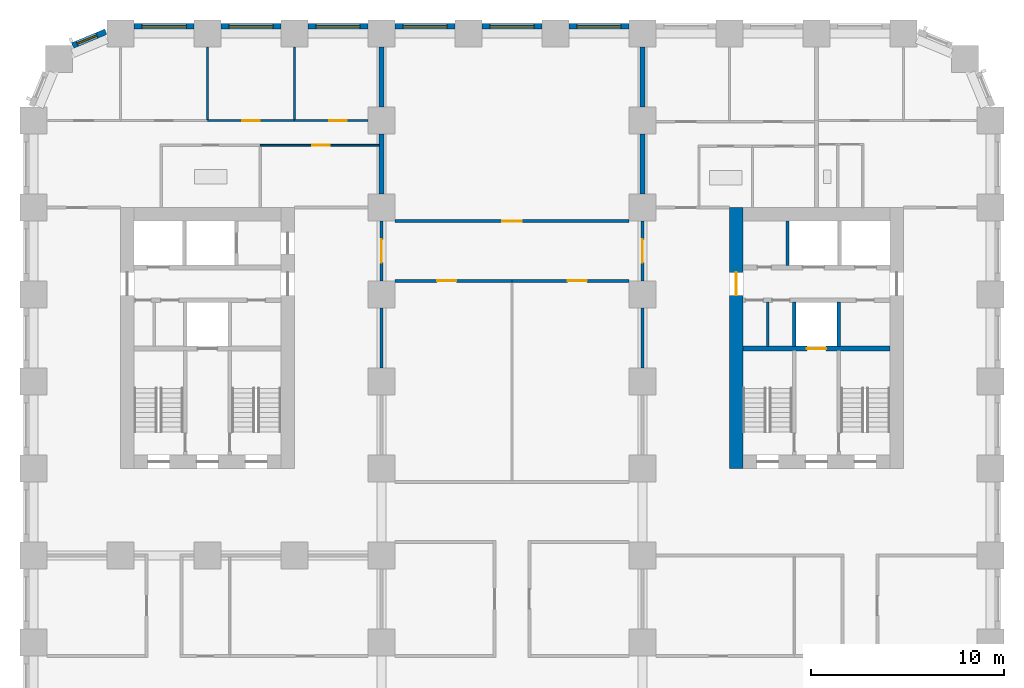
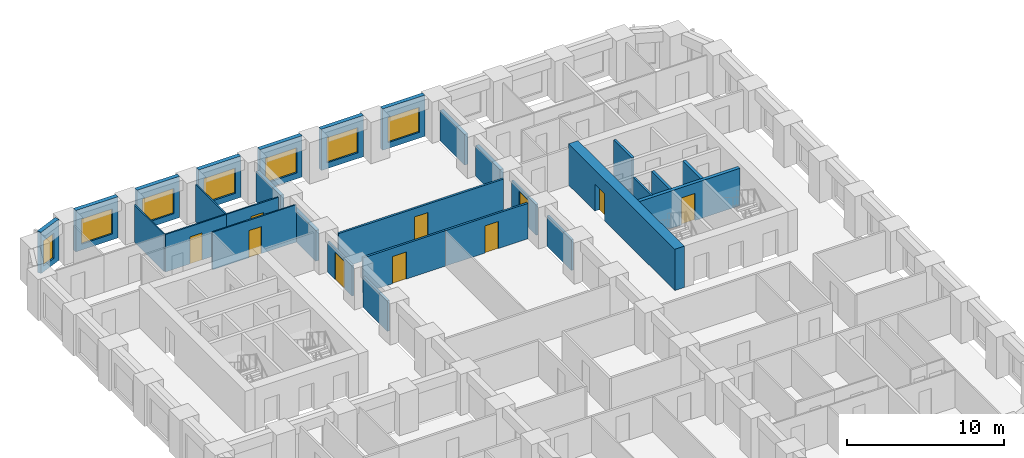
# One storey, part 7 of 12: 29 walls, 10 doors, 7 windows, 17 openings.
"""IFC4 building model written with IfcOpenShell, lengths in metres."""

from ifc_helpers import new_model, si_unit, direction, frame, frame_2d, origin, place, context, subcontext, project, spatial, rectangle, extrude, material, layer, layer_set, type_object, element, fill, save


model = new_model("IFC4")

# Units and contexts
model_context = context("Model", 3, precision=1e-05, world=origin(), true_north=direction((0.0, 1.0)))
body_context = subcontext(model_context, "Body", "Model", "MODEL_VIEW")
ifc_project = project(units=[si_unit("LENGTHUNIT", "METRE"), si_unit("AREAUNIT", "SQUARE_METRE"), si_unit("VOLUMEUNIT", "CUBIC_METRE"), si_unit("PLANEANGLEUNIT", "RADIAN"), si_unit("MASSUNIT", "GRAM", prefix="KILO")], contexts=[model_context])

# Site, building, storey
site_placement = place(None, origin())
site = spatial("IfcSite", under=ifc_project, at=site_placement, CompositionType="ELEMENT")
building_placement = place(site_placement, origin())
building = spatial("IfcBuilding", under=site, at=building_placement, Name="Girih Gate Residences", CompositionType="ELEMENT")
storey_placement = place(building_placement, frame((0.0, 0.0, 33.60009765625)))
storey = spatial("IfcBuildingStorey", under=building, at=storey_placement, Name="L07", CompositionType="ELEMENT", Elevation=33.60009765625)

# Walls
ifc_material_1 = material(Name="Gypsum board on steel studs", Category="steel")
ifc_layer_1 = layer(ifc_material_1, 0.25)
ifc_layer_set_1 = layer_set([ifc_layer_1], Name="Acoustic separating wall 250 mm")
wall_type_1 = type_object("IfcWallType", Name="Acoustic separating wall 250 mm", PredefinedType="PARTITIONING", material=ifc_layer_set_1)
for number, where, z_axis, x_axis, name in (
    (1, (18.0, 45.699951171875, 0.0), (0.0, 0.0, 1.0), (0.0, 1.0, 0.0), "L07 partition"),
    (2, (18.0, 41.199951171875, 0.0), (0.0, 0.0, 1.0), (0.0, 1.0, 0.0), "L07 partition"),
    (3, (31.5, 41.199951171875, 0.0), (0.0, 0.0, 1.0), (0.0, 1.0, 0.0), "L07 partition"),
    (4, (31.5, 45.699951171875, 0.0), (0.0, 0.0, 1.0), (0.0, 1.0, 0.0), "L07 partition"),
):
    element("IfcWall", number, at=place(storey_placement, frame(where, z_axis=z_axis, x_axis=x_axis)), inside=storey, type_object=wall_type_1, Name=name, PredefinedType="PARTITIONING", context=body_context, shape_type="SweptSolid", body=[
        extrude(rectangle(XDim=3.10009765625, YDim=0.25, at=frame_2d((1.550048828125, 0.0))), origin(), (0.0, 0.0, 1.0), 2.3798828125),
    ])

# Wall, opening, door
ifc_layer_2 = layer(ifc_material_1, 0.14990234375)
ifc_layer_set_2 = layer_set([ifc_layer_2], Name="Compartment wall 150 mm")
wall_type_2 = type_object("IfcWallType", Name="Compartment wall 150 mm", PredefinedType="PARTITIONING", material=ifc_layer_set_2)
wall_1_placement = place(storey_placement, frame((18.699951171875, 39.800048828125, 0.0), z_axis=(0.0, 0.0, 1.0), x_axis=(1.0, 0.0, 0.0)))
wall_1 = element("IfcWall", 5, at=wall_1_placement, inside=storey, type_object=wall_type_2, Name="L07 partition", PredefinedType="PARTITIONING", context=body_context, shape_type="SweptSolid", body=[
    extrude(rectangle(XDim=12.10009765625, YDim=0.14990234375, at=frame_2d((6.050048828125, 0.0))), origin(), (0.0, 0.0, 1.0), 2.75),
])
opening_1_placement = place(wall_1_placement, frame((5.550048828125, 0.0, 0.0)))
opening_1 = element("IfcOpeningElement", 6, at=opening_1_placement, cuts=wall_1, Name="Opening A07-035", PredefinedType="OPENING", context=body_context, shape_type="SweptSolid", body=[
    extrude(rectangle(XDim=1.0, YDim=2.10009765625, at=frame_2d((0.5, 1.050048828125))), frame((0.0, 0.0849609375, 0.0), z_axis=(0.0, -1.0, 0.0), x_axis=(1.0, 0.0, 0.0)), (0.0, 0.0, 1.0), 0.169921875),
])
ifc_material_2 = material(Name="Timber, fire-rated core", Category="wood")
door_type_1 = type_object("IfcDoorType", Name="Amenity room door 1000x2100 FD30S", OperationType="NOTDEFINED", PredefinedType="DOOR", material=ifc_material_2)
door_1_placement = place(opening_1_placement, origin())
door_1 = element("IfcDoor", 7, at=door_1_placement, inside=storey, type_object=door_type_1, Name="Door A07-035", OperationType="SINGLE_SWING_RIGHT", OverallHeight=2.10009765625, OverallWidth=1.0, PredefinedType="DOOR", context=body_context, shape_type="SweptSolid", body=[
    extrude(rectangle(XDim=1.0, YDim=2.10009765625, at=frame_2d((0.5, 1.050048828125))), frame((0.0, 0.02490234375, 0.0), z_axis=(0.0, -1.0, 0.0), x_axis=(1.0, 0.0, 0.0)), (0.0, 0.0, 1.0), 0.050048828125),
])
fill(opening_1, door_1)

wall_2_placement = place(storey_placement, frame((24.75, 36.699951171875, 0.0), z_axis=(0.0, 0.0, 1.0), x_axis=(-1.0, 0.0, 0.0)))
wall_2 = element("IfcWall", 8, at=wall_2_placement, inside=storey, type_object=wall_type_2, Name="L07 partition", PredefinedType="PARTITIONING", context=body_context, shape_type="SweptSolid", body=[
    extrude(rectangle(XDim=6.050048828125, YDim=0.14990234375, at=frame_2d((3.02490234375, 0.0))), origin(), (0.0, 0.0, 1.0), 2.75),
])
opening_2_placement = place(wall_2_placement, frame((2.875, 0.0, 0.0)))
opening_2 = element("IfcOpeningElement", 9, at=opening_2_placement, cuts=wall_2, Name="Opening A07-036", PredefinedType="OPENING", context=body_context, shape_type="SweptSolid", body=[
    extrude(rectangle(XDim=1.0, YDim=2.10009765625, at=frame_2d((0.5, 1.050048828125))), frame((0.0, 0.0849609375, 0.0), z_axis=(0.0, -1.0, 0.0), x_axis=(1.0, 0.0, 0.0)), (0.0, 0.0, 1.0), 0.169921875),
])
door_2_placement = place(opening_2_placement, origin())
door_2 = element("IfcDoor", 10, at=door_2_placement, inside=storey, type_object=door_type_1, Name="Door A07-036", OperationType="SINGLE_SWING_RIGHT", OverallHeight=2.10009765625, OverallWidth=1.0, PredefinedType="DOOR", context=body_context, shape_type="SweptSolid", body=[
    extrude(rectangle(XDim=1.0, YDim=2.10009765625, at=frame_2d((0.5, 1.050048828125))), frame((0.0, 0.02490234375, 0.0), z_axis=(0.0, -1.0, 0.0), x_axis=(1.0, 0.0, 0.0)), (0.0, 0.0, 1.0), 0.050048828125),
])
fill(opening_2, door_2)

wall_3_placement = place(storey_placement, frame((30.800048828125, 36.699951171875, 0.0), z_axis=(0.0, 0.0, 1.0), x_axis=(-1.0, 0.0, 0.0)))
wall_3 = element("IfcWall", 11, at=wall_3_placement, inside=storey, type_object=wall_type_2, Name="L07 partition", PredefinedType="PARTITIONING", context=body_context, shape_type="SweptSolid", body=[
    extrude(rectangle(XDim=6.050048828125, YDim=0.14990234375, at=frame_2d((3.02490234375, 0.0))), origin(), (0.0, 0.0, 1.0), 2.75),
])
opening_3_placement = place(wall_3_placement, frame((2.175048828125, 0.0, 0.0)))
opening_3 = element("IfcOpeningElement", 12, at=opening_3_placement, cuts=wall_3, Name="Opening A07-037", PredefinedType="OPENING", context=body_context, shape_type="SweptSolid", body=[
    extrude(rectangle(XDim=1.0, YDim=2.10009765625, at=frame_2d((0.5, 1.050048828125))), frame((0.0, 0.0849609375, 0.0), z_axis=(0.0, -1.0, 0.0), x_axis=(1.0, 0.0, 0.0)), (0.0, 0.0, 1.0), 0.169921875),
])
door_3_placement = place(opening_3_placement, origin())
door_3 = element("IfcDoor", 13, at=door_3_placement, inside=storey, type_object=door_type_1, Name="Door A07-037", OperationType="SINGLE_SWING_LEFT", OverallHeight=2.10009765625, OverallWidth=1.0, PredefinedType="DOOR", context=body_context, shape_type="SweptSolid", body=[
    extrude(rectangle(XDim=1.0, YDim=2.10009765625, at=frame_2d((0.5, 1.050048828125))), frame((0.0, 0.02490234375, 0.0), z_axis=(0.0, -1.0, 0.0), x_axis=(1.0, 0.0, 0.0)), (0.0, 0.0, 1.0), 0.050048828125),
])
fill(opening_3, door_3)

wall_4_placement = place(storey_placement, frame((31.5, 36.699951171875, 0.0), z_axis=(0.0, 0.0, 1.0), x_axis=(0.0, 1.0, 0.0)))
wall_4 = element("IfcWall", 14, at=wall_4_placement, inside=storey, type_object=wall_type_2, Name="L07 partition", PredefinedType="PARTITIONING", context=body_context, shape_type="SweptSolid", body=[
    extrude(rectangle(XDim=3.10009765625, YDim=0.14990234375, at=frame_2d((1.550048828125, 0.0))), origin(), (0.0, 0.0, 1.0), 2.3798828125),
])
opening_4_placement = place(wall_4_placement, frame((0.949951171875, 0.0, 0.0)))
opening_4 = element("IfcOpeningElement", 15, at=opening_4_placement, cuts=wall_4, Name="Opening A07-038", PredefinedType="OPENING", context=body_context, shape_type="SweptSolid", body=[
    extrude(rectangle(XDim=1.199951171875, YDim=2.10009765625, at=frame_2d((0.60009765625, 1.050048828125))), frame((0.0, 0.0849609375, 0.0), z_axis=(0.0, -1.0, 0.0), x_axis=(1.0, 0.0, 0.0)), (0.0, 0.0, 1.0), 0.169921875),
])
door_type_2 = type_object("IfcDoorType", Name="Corridor fire door 1200x2100 FD30S", OperationType="NOTDEFINED", PredefinedType="DOOR", material=ifc_material_2)
door_4_placement = place(opening_4_placement, origin())
door_4 = element("IfcDoor", 16, at=door_4_placement, inside=storey, type_object=door_type_2, Name="Door A07-038", OperationType="SINGLE_SWING_LEFT", OverallHeight=2.10009765625, OverallWidth=1.199951171875, PredefinedType="DOOR", context=body_context, shape_type="SweptSolid", body=[
    extrude(rectangle(XDim=1.199951171875, YDim=2.10009765625, at=frame_2d((0.60009765625, 1.050048828125))), frame((0.0, 0.02490234375, 0.0), z_axis=(0.0, -1.0, 0.0), x_axis=(1.0, 0.0, 0.0)), (0.0, 0.0, 1.0), 0.050048828125),
])
fill(opening_4, door_4)

wall_5_placement = place(storey_placement, frame((18.0, 39.800048828125, 0.0), z_axis=(0.0, 0.0, 1.0), x_axis=(0.0, -1.0, 0.0)))
wall_5 = element("IfcWall", 17, at=wall_5_placement, inside=storey, type_object=wall_type_2, Name="L07 partition", PredefinedType="PARTITIONING", context=body_context, shape_type="SweptSolid", body=[
    extrude(rectangle(XDim=3.10009765625, YDim=0.14990234375, at=frame_2d((1.550048828125, 0.0))), origin(), (0.0, 0.0, 1.0), 2.3798828125),
])
opening_5_placement = place(wall_5_placement, frame((0.949951171875, 0.0, 0.0)))
opening_5 = element("IfcOpeningElement", 18, at=opening_5_placement, cuts=wall_5, Name="Opening A07-039", PredefinedType="OPENING", context=body_context, shape_type="SweptSolid", body=[
    extrude(rectangle(XDim=1.199951171875, YDim=2.10009765625, at=frame_2d((0.60009765625, 1.050048828125))), frame((0.0, 0.0849609375, 0.0), z_axis=(0.0, -1.0, 0.0), x_axis=(1.0, 0.0, 0.0)), (0.0, 0.0, 1.0), 0.169921875),
])
door_5_placement = place(opening_5_placement, origin())
door_5 = element("IfcDoor", 19, at=door_5_placement, inside=storey, type_object=door_type_2, Name="Door A07-039", OperationType="SINGLE_SWING_LEFT", OverallHeight=2.10009765625, OverallWidth=1.199951171875, PredefinedType="DOOR", context=body_context, shape_type="SweptSolid", body=[
    extrude(rectangle(XDim=1.199951171875, YDim=2.10009765625, at=frame_2d((0.60009765625, 1.050048828125))), frame((0.0, 0.02490234375, 0.0), z_axis=(0.0, -1.0, 0.0), x_axis=(1.0, 0.0, 0.0)), (0.0, 0.0, 1.0), 0.050048828125),
])
fill(opening_5, door_5)

# Walls
for number, where, z_axis, x_axis, name in (
    (20, (18.0, 32.199951171875, 0.0), (0.0, 0.0, 1.0), (0.0, 1.0, 0.0), "L07 partition"),
    (21, (31.5, 32.199951171875, 0.0), (0.0, 0.0, 1.0), (0.0, 1.0, 0.0), "L07 partition"),
):
    element("IfcWall", number, at=place(storey_placement, frame(where, z_axis=z_axis, x_axis=x_axis)), inside=storey, type_object=wall_type_2, Name=name, PredefinedType="PARTITIONING", context=body_context, shape_type="SweptSolid", body=[
        extrude(rectangle(XDim=3.10009765625, YDim=0.14990234375, at=frame_2d((1.550048828125, 0.0))), origin(), (0.0, 0.0, 1.0), 2.3798828125),
    ])

# Wall, opening, door
ifc_material_3 = material(Name="Concrete C60/75", Category="concrete")
ifc_layer_3 = layer(ifc_material_3, 0.699951171875)
ifc_layer_set_3 = layer_set([ifc_layer_3], Name="Core wall RC 700 Concrete C60/75")
wall_type_3 = type_object("IfcWallType", Name="Core wall RC 700 Concrete C60/75", PredefinedType="SOLIDWALL", material=ifc_layer_set_3)
wall_6_placement = place(storey_placement, frame((36.35009765625, 27.0, 0.0), z_axis=(0.0, 0.0, 1.0), x_axis=(0.0, 1.0, 0.0)))
wall_6 = element("IfcWall", 22, at=wall_6_placement, inside=storey, type_object=wall_type_3, Name="Core wall E-W L07", PredefinedType="SOLIDWALL", context=body_context, shape_type="SweptSolid", body=[
    extrude(rectangle(XDim=13.5, YDim=0.699951171875, at=frame_2d((6.75, 0.0))), origin(), (0.0, 0.0, 1.0), 3.199951171875),
])
opening_6_placement = place(wall_6_placement, frame((8.949951171875, 0.0, 0.0)))
opening_6 = element("IfcOpeningElement", 23, at=opening_6_placement, cuts=wall_6, Name="Opening D-L07-E-013", PredefinedType="OPENING", context=body_context, shape_type="SweptSolid", body=[
    extrude(rectangle(XDim=1.199951171875, YDim=2.10009765625, at=frame_2d((0.60009765625, 1.050048828125))), frame((0.0, 0.35986328125, 0.0), z_axis=(0.0, -1.0, 0.0), x_axis=(1.0, 0.0, 0.0)), (0.0, 0.0, 1.0), 0.719970703125),
])
ifc_material_4 = material(Name="Painted steel, fire-resisting", Category="steel")
door_type_3 = type_object("IfcDoorType", Name="Fire door 1200x2100", OperationType="SINGLE_SWING_LEFT", PredefinedType="DOOR", material=ifc_material_4)
door_6_placement = place(opening_6_placement, origin())
door_6 = element("IfcDoor", 24, at=door_6_placement, inside=storey, type_object=door_type_3, Name="L07 E core door ll-w", OperationType="SINGLE_SWING_LEFT", OverallHeight=2.10009765625, OverallWidth=1.199951171875, PredefinedType="DOOR", context=body_context, shape_type="SweptSolid", body=[
    extrude(rectangle(XDim=1.199951171875, YDim=2.10009765625, at=frame_2d((0.60009765625, 1.050048828125))), frame((0.0, 0.02490234375, 0.0), z_axis=(0.0, -1.0, 0.0), x_axis=(1.0, 0.0, 0.0)), (0.0, 0.0, 1.0), 0.050048828125),
])
fill(opening_6, door_6)

ifc_material_5 = material(Name="Concrete C40/50", Category="concrete")
ifc_layer_4 = layer(ifc_material_5, 0.25)
ifc_layer_set_4 = layer_set([ifc_layer_4], Name="Lift shaft wall 250")
wall_type_4 = type_object("IfcWallType", Name="Lift shaft wall 250", PredefinedType="SOLIDWALL", material=ifc_layer_set_4)
wall_7_placement = place(storey_placement, frame((36.699951171875, 33.199951171875, 0.0), z_axis=(0.0, 0.0, 1.0), x_axis=(1.0, 0.0, 0.0)))
wall_7 = element("IfcWall", 25, at=wall_7_placement, inside=storey, type_object=wall_type_4, Name="L07 E core wall H1", PredefinedType="SOLIDWALL", context=body_context, shape_type="SweptSolid", body=[
    extrude(rectangle(XDim=7.60009765625, YDim=0.25, at=frame_2d((3.800048828125, 0.0))), origin(), (0.0, 0.0, 1.0), 2.89990234375),
])
opening_7_placement = place(wall_7_placement, frame((3.300048828125, 0.0, 0.0)))
opening_7 = element("IfcOpeningElement", 26, at=opening_7_placement, cuts=wall_7, Name="Opening D-L07-E-005", PredefinedType="OPENING", context=body_context, shape_type="SweptSolid", body=[
    extrude(rectangle(XDim=1.0, YDim=2.10009765625, at=frame_2d((0.5, 1.050048828125))), frame((0.0, 0.135009765625, 0.0), z_axis=(0.0, -1.0, 0.0), x_axis=(1.0, 0.0, 0.0)), (0.0, 0.0, 1.0), 0.27001953125),
])
ifc_material_6 = material(Name="Stainless steel, fire-resisting", Category="steel")
door_type_4 = type_object("IfcDoorType", Name="Firefighting lift landing door 1000x2100", OperationType="SLIDING_TO_LEFT", PredefinedType="DOOR", material=ifc_material_6)
door_7_placement = place(opening_7_placement, origin())
door_7 = element("IfcDoor", 27, at=door_7_placement, inside=storey, type_object=door_type_4, Name="L07 lift FF-E landing door", OperationType="SLIDING_TO_LEFT", OverallHeight=2.10009765625, OverallWidth=1.0, PredefinedType="DOOR", context=body_context, shape_type="SweptSolid", body=[
    extrude(rectangle(XDim=1.0, YDim=2.10009765625, at=frame_2d((0.5, 1.050048828125))), frame((0.0, 0.02490234375, 0.0), z_axis=(0.0, -1.0, 0.0), x_axis=(1.0, 0.0, 0.0)), (0.0, 0.0, 1.0), 0.050048828125),
])
fill(opening_7, door_7)

# Walls
ifc_layer_5 = layer(ifc_material_1, 0.10009765625)
ifc_layer_set_5 = layer_set([ifc_layer_5], Name="Partition 100 mm")
wall_type_5 = type_object("IfcWallType", Name="Partition 100 mm", PredefinedType="PARTITIONING", material=ifc_layer_set_5)
for number, where, z_axis, x_axis, name in (
    (28, (9.0, 45.050048828125, 0.0), (0.0, 0.0, 1.0), (0.0, 1.0, 0.0), "L07 partition"),
    (29, (13.5, 45.050048828125, 0.0), (0.0, 0.0, 1.0), (0.0, 1.0, 0.0), "L07 partition"),
):
    element("IfcWall", number, at=place(storey_placement, frame(where, z_axis=z_axis, x_axis=x_axis)), inside=storey, type_object=wall_type_5, Name=name, PredefinedType="PARTITIONING", context=body_context, shape_type="SweptSolid", body=[
        extrude(rectangle(XDim=3.75, YDim=0.10009765625, at=frame_2d((1.875, 0.0))), origin(), (0.0, 0.0, 1.0), 2.89990234375),
    ])

# Wall, opening, door
wall_8_placement = place(storey_placement, frame((9.0, 45.0, 0.0), z_axis=(0.0, 0.0, 1.0), x_axis=(1.0, 0.0, 0.0)))
wall_8 = element("IfcWall", 30, at=wall_8_placement, inside=storey, type_object=wall_type_5, Name="L07 partition", PredefinedType="PARTITIONING", context=body_context, shape_type="SweptSolid", body=[
    extrude(rectangle(XDim=4.5, YDim=0.10009765625, at=frame_2d((2.25, 0.0))), origin(), (0.0, 0.0, 1.0), 2.89990234375),
])
opening_8_placement = place(wall_8_placement, frame((1.800048828125, 0.0, 0.0)))
opening_8 = element("IfcOpeningElement", 31, at=opening_8_placement, cuts=wall_8, Name="Opening A07-010", PredefinedType="OPENING", context=body_context, shape_type="SweptSolid", body=[
    extrude(rectangle(XDim=0.89990234375, YDim=2.10009765625, at=frame_2d((0.449951171875, 1.050048828125))), frame((0.0, 0.06005859375, 0.0), z_axis=(0.0, -1.0, 0.0), x_axis=(1.0, 0.0, 0.0)), (0.0, 0.0, 1.0), 0.1201171875),
])
ifc_material_7 = material(Name="Timber", Category="wood")
door_type_5 = type_object("IfcDoorType", Name="Bedroom door 900x2100", OperationType="NOTDEFINED", PredefinedType="DOOR", material=ifc_material_7)
door_8_placement = place(opening_8_placement, origin())
door_8 = element("IfcDoor", 32, at=door_8_placement, inside=storey, type_object=door_type_5, Name="Door A07-010", OperationType="SINGLE_SWING_LEFT", OverallHeight=2.10009765625, OverallWidth=0.89990234375, PredefinedType="DOOR", context=body_context, shape_type="SweptSolid", body=[
    extrude(rectangle(XDim=0.89990234375, YDim=2.10009765625, at=frame_2d((0.449951171875, 1.050048828125))), frame((0.0, 0.02490234375, 0.0), z_axis=(0.0, -1.0, 0.0), x_axis=(1.0, 0.0, 0.0)), (0.0, 0.0, 1.0), 0.050048828125),
])
fill(opening_8, door_8)

wall_9_placement = place(storey_placement, frame((13.5, 45.0, 0.0), z_axis=(0.0, 0.0, 1.0), x_axis=(1.0, 0.0, 0.0)))
wall_9 = element("IfcWall", 33, at=wall_9_placement, inside=storey, type_object=wall_type_5, Name="L07 partition", PredefinedType="PARTITIONING", context=body_context, shape_type="SweptSolid", body=[
    extrude(rectangle(XDim=3.800048828125, YDim=0.10009765625, at=frame_2d((1.89990234375, 0.0))), origin(), (0.0, 0.0, 1.0), 2.89990234375),
])
opening_9_placement = place(wall_9_placement, frame((1.800048828125, 0.0, 0.0)))
opening_9 = element("IfcOpeningElement", 34, at=opening_9_placement, cuts=wall_9, Name="Opening A07-011", PredefinedType="OPENING", context=body_context, shape_type="SweptSolid", body=[
    extrude(rectangle(XDim=0.89990234375, YDim=2.10009765625, at=frame_2d((0.449951171875, 1.050048828125))), frame((0.0, 0.06005859375, 0.0), z_axis=(0.0, -1.0, 0.0), x_axis=(1.0, 0.0, 0.0)), (0.0, 0.0, 1.0), 0.1201171875),
])
door_9_placement = place(opening_9_placement, origin())
door_9 = element("IfcDoor", 35, at=door_9_placement, inside=storey, type_object=door_type_5, Name="Door A07-011", OperationType="SINGLE_SWING_RIGHT", OverallHeight=2.10009765625, OverallWidth=0.89990234375, PredefinedType="DOOR", context=body_context, shape_type="SweptSolid", body=[
    extrude(rectangle(XDim=0.89990234375, YDim=2.10009765625, at=frame_2d((0.449951171875, 1.050048828125))), frame((0.0, 0.02490234375, 0.0), z_axis=(0.0, -1.0, 0.0), x_axis=(1.0, 0.0, 0.0)), (0.0, 0.0, 1.0), 0.050048828125),
])
fill(opening_9, door_9)

wall_10_placement = place(storey_placement, frame((17.875, 43.719970703125, 0.0), z_axis=(0.0, 0.0, 1.0), x_axis=(-1.0, 0.0, 0.0)))
wall_10 = element("IfcWall", 36, at=wall_10_placement, inside=storey, type_object=wall_type_5, Name="L07 partition", PredefinedType="PARTITIONING", context=body_context, shape_type="SweptSolid", body=[
    extrude(rectangle(XDim=6.14697265625, YDim=0.10009765625, at=frame_2d((3.073486328125, 0.0))), origin(), (0.0, 0.0, 1.0), 2.89990234375),
])
opening_10_placement = place(wall_10_placement, frame((2.56103515625, 0.0, 0.0)))
opening_10 = element("IfcOpeningElement", 37, at=opening_10_placement, cuts=wall_10, Name="Opening A07-012", PredefinedType="OPENING", context=body_context, shape_type="SweptSolid", body=[
    extrude(rectangle(XDim=0.89990234375, YDim=2.10009765625, at=frame_2d((0.449951171875, 1.050048828125))), frame((0.0, 0.06005859375, 0.0), z_axis=(0.0, -1.0, 0.0), x_axis=(1.0, 0.0, 0.0)), (0.0, 0.0, 1.0), 0.1201171875),
])
door_type_6 = type_object("IfcDoorType", Name="Kitchen door 900x2100", OperationType="NOTDEFINED", PredefinedType="DOOR", material=ifc_material_7)
door_10_placement = place(opening_10_placement, origin())
door_10 = element("IfcDoor", 38, at=door_10_placement, inside=storey, type_object=door_type_6, Name="Door A07-012", OperationType="SINGLE_SWING_LEFT", OverallHeight=2.10009765625, OverallWidth=0.89990234375, PredefinedType="DOOR", context=body_context, shape_type="SweptSolid", body=[
    extrude(rectangle(XDim=0.89990234375, YDim=2.10009765625, at=frame_2d((0.449951171875, 1.050048828125))), frame((0.0, 0.02490234375, 0.0), z_axis=(0.0, -1.0, 0.0), x_axis=(1.0, 0.0, 0.0)), (0.0, 0.0, 1.0), 0.050048828125),
])
fill(opening_10, door_10)

# Wall, opening, window
ifc_material_8 = material(Name="Precast concrete C50/60", Category="concrete")
ifc_layer_6 = layer(ifc_material_8, 0.080078125, Name="Outer leaf")
ifc_material_9 = material(Name="Rigid PIR insulation")
ifc_layer_7 = layer(ifc_material_9, 0.14990234375, Name="Insulation")
ifc_material_10 = material(Name="Precast concrete C40/50", Category="concrete")
ifc_layer_8 = layer(ifc_material_10, 0.070068359375, Name="Inner leaf")
ifc_layer_set_6 = layer_set([ifc_layer_6, ifc_layer_7, ifc_layer_8], Name="Precast concrete C50/60 external wall 300")
wall_type_6 = type_object("IfcWallType", Name="Precast concrete C50/60 external wall 300", PredefinedType="SOLIDWALL", material=ifc_layer_set_6)
wall_11_placement = place(storey_placement, frame((27.699951171875, 49.875, 0.0), z_axis=(0.0, 0.0, 1.0), x_axis=(1.0, 0.0, 0.0)))
wall_11 = element("IfcWall", 39, at=wall_11_placement, inside=storey, type_object=wall_type_6, Name="External wall N0450_0495.3", PredefinedType="SOLIDWALL", context=body_context, shape_type="SweptSolid", body=[
    extrude(rectangle(XDim=3.10009765625, YDim=0.300048828125, at=frame_2d((1.550048828125, 0.0))), origin(), (0.0, 0.0, 1.0), 3.199951171875),
])
opening_11_placement = place(wall_11_placement, frame((0.39990234375, 0.0, 0.449951171875)))
opening_11 = element("IfcOpeningElement", 40, at=opening_11_placement, cuts=wall_11, Name="Opening W-1", PredefinedType="OPENING", context=body_context, shape_type="SweptSolid", body=[
    extrude(rectangle(XDim=2.300048828125, YDim=1.949951171875, at=frame_2d((1.14990234375, 0.97509765625))), frame((0.0, 0.159912109375, 0.0), z_axis=(0.0, -1.0, 0.0), x_axis=(1.0, 0.0, 0.0)), (0.0, 0.0, 1.0), 0.320068359375),
])
ifc_material_11 = material(Name="Double glazing in aluminium frame", Category="aluminium")
window_type_1 = type_object("IfcWindowType", Name="Window W-1 2300x1950", PartitioningType="SINGLE_PANEL", PredefinedType="WINDOW", material=ifc_material_11)
window_1_placement = place(opening_11_placement, origin())
window_1 = element("IfcWindow", 41, at=window_1_placement, inside=storey, type_object=window_type_1, Name="Window W-1 N0450_0495.3", OverallHeight=1.949951171875, OverallWidth=2.300048828125, PartitioningType="SINGLE_PANEL", PredefinedType="WINDOW", context=body_context, shape_type="SweptSolid", body=[
    extrude(rectangle(XDim=2.300048828125, YDim=1.949951171875, at=frame_2d((1.14990234375, 0.97509765625))), frame((0.0, 0.030029296875, 0.0), z_axis=(0.0, -1.0, 0.0), x_axis=(1.0, 0.0, 0.0)), (0.0, 0.0, 1.0), 0.06005859375),
])
fill(opening_11, window_1)

wall_12_placement = place(storey_placement, frame((23.199951171875, 49.875, 0.0), z_axis=(0.0, 0.0, 1.0), x_axis=(1.0, 0.0, 0.0)))
wall_12 = element("IfcWall", 42, at=wall_12_placement, inside=storey, type_object=wall_type_6, Name="External wall N0450_0495.4", PredefinedType="SOLIDWALL", context=body_context, shape_type="SweptSolid", body=[
    extrude(rectangle(XDim=3.10009765625, YDim=0.300048828125, at=frame_2d((1.550048828125, 0.0))), origin(), (0.0, 0.0, 1.0), 3.199951171875),
])
opening_12_placement = place(wall_12_placement, frame((0.39990234375, 0.0, 0.449951171875)))
opening_12 = element("IfcOpeningElement", 43, at=opening_12_placement, cuts=wall_12, Name="Opening W-1", PredefinedType="OPENING", context=body_context, shape_type="SweptSolid", body=[
    extrude(rectangle(XDim=2.300048828125, YDim=1.949951171875, at=frame_2d((1.14990234375, 0.97509765625))), frame((0.0, 0.159912109375, 0.0), z_axis=(0.0, -1.0, 0.0), x_axis=(1.0, 0.0, 0.0)), (0.0, 0.0, 1.0), 0.320068359375),
])
window_2_placement = place(opening_12_placement, origin())
window_2 = element("IfcWindow", 44, at=window_2_placement, inside=storey, type_object=window_type_1, Name="Window W-1 N0450_0495.4", OverallHeight=1.949951171875, OverallWidth=2.300048828125, PartitioningType="SINGLE_PANEL", PredefinedType="WINDOW", context=body_context, shape_type="SweptSolid", body=[
    extrude(rectangle(XDim=2.300048828125, YDim=1.949951171875, at=frame_2d((1.14990234375, 0.97509765625))), frame((0.0, 0.030029296875, 0.0), z_axis=(0.0, -1.0, 0.0), x_axis=(1.0, 0.0, 0.0)), (0.0, 0.0, 1.0), 0.06005859375),
])
fill(opening_12, window_2)

wall_13_placement = place(storey_placement, frame((18.699951171875, 49.875, 0.0), z_axis=(0.0, 0.0, 1.0), x_axis=(1.0, 0.0, 0.0)))
wall_13 = element("IfcWall", 45, at=wall_13_placement, inside=storey, type_object=wall_type_6, Name="External wall N0450_0495.5", PredefinedType="SOLIDWALL", context=body_context, shape_type="SweptSolid", body=[
    extrude(rectangle(XDim=3.10009765625, YDim=0.300048828125, at=frame_2d((1.550048828125, 0.0))), origin(), (0.0, 0.0, 1.0), 3.199951171875),
])
opening_13_placement = place(wall_13_placement, frame((0.39990234375, 0.0, 0.449951171875)))
opening_13 = element("IfcOpeningElement", 46, at=opening_13_placement, cuts=wall_13, Name="Opening W-1", PredefinedType="OPENING", context=body_context, shape_type="SweptSolid", body=[
    extrude(rectangle(XDim=2.300048828125, YDim=1.949951171875, at=frame_2d((1.14990234375, 0.97509765625))), frame((0.0, 0.159912109375, 0.0), z_axis=(0.0, -1.0, 0.0), x_axis=(1.0, 0.0, 0.0)), (0.0, 0.0, 1.0), 0.320068359375),
])
window_3_placement = place(opening_13_placement, origin())
window_3 = element("IfcWindow", 47, at=window_3_placement, inside=storey, type_object=window_type_1, Name="Window W-1 N0450_0495.5", OverallHeight=1.949951171875, OverallWidth=2.300048828125, PartitioningType="SINGLE_PANEL", PredefinedType="WINDOW", context=body_context, shape_type="SweptSolid", body=[
    extrude(rectangle(XDim=2.300048828125, YDim=1.949951171875, at=frame_2d((1.14990234375, 0.97509765625))), frame((0.0, 0.030029296875, 0.0), z_axis=(0.0, -1.0, 0.0), x_axis=(1.0, 0.0, 0.0)), (0.0, 0.0, 1.0), 0.06005859375),
])
fill(opening_13, window_3)

wall_14_placement = place(storey_placement, frame((14.199951171875, 49.875, 0.0), z_axis=(0.0, 0.0, 1.0), x_axis=(1.0, 0.0, 0.0)))
wall_14 = element("IfcWall", 48, at=wall_14_placement, inside=storey, type_object=wall_type_6, Name="External wall N0450_0495.6", PredefinedType="SOLIDWALL", context=body_context, shape_type="SweptSolid", body=[
    extrude(rectangle(XDim=3.10009765625, YDim=0.300048828125, at=frame_2d((1.550048828125, 0.0))), origin(), (0.0, 0.0, 1.0), 3.199951171875),
])
opening_14_placement = place(wall_14_placement, frame((0.39990234375, 0.0, 0.449951171875)))
opening_14 = element("IfcOpeningElement", 49, at=opening_14_placement, cuts=wall_14, Name="Opening W-1", PredefinedType="OPENING", context=body_context, shape_type="SweptSolid", body=[
    extrude(rectangle(XDim=2.300048828125, YDim=1.949951171875, at=frame_2d((1.14990234375, 0.97509765625))), frame((0.0, 0.159912109375, 0.0), z_axis=(0.0, -1.0, 0.0), x_axis=(1.0, 0.0, 0.0)), (0.0, 0.0, 1.0), 0.320068359375),
])
window_4_placement = place(opening_14_placement, origin())
window_4 = element("IfcWindow", 50, at=window_4_placement, inside=storey, type_object=window_type_1, Name="Window W-1 N0450_0495.6", OverallHeight=1.949951171875, OverallWidth=2.300048828125, PartitioningType="SINGLE_PANEL", PredefinedType="WINDOW", context=body_context, shape_type="SweptSolid", body=[
    extrude(rectangle(XDim=2.300048828125, YDim=1.949951171875, at=frame_2d((1.14990234375, 0.97509765625))), frame((0.0, 0.030029296875, 0.0), z_axis=(0.0, -1.0, 0.0), x_axis=(1.0, 0.0, 0.0)), (0.0, 0.0, 1.0), 0.06005859375),
])
fill(opening_14, window_4)

wall_15_placement = place(storey_placement, frame((9.699951171875, 49.875, 0.0), z_axis=(0.0, 0.0, 1.0), x_axis=(1.0, 0.0, 0.0)))
wall_15 = element("IfcWall", 51, at=wall_15_placement, inside=storey, type_object=wall_type_6, Name="External wall N0450_0495.7", PredefinedType="SOLIDWALL", context=body_context, shape_type="SweptSolid", body=[
    extrude(rectangle(XDim=3.10009765625, YDim=0.300048828125, at=frame_2d((1.550048828125, 0.0))), origin(), (0.0, 0.0, 1.0), 3.199951171875),
])
opening_15_placement = place(wall_15_placement, frame((0.39990234375, 0.0, 0.449951171875)))
opening_15 = element("IfcOpeningElement", 52, at=opening_15_placement, cuts=wall_15, Name="Opening W-1", PredefinedType="OPENING", context=body_context, shape_type="SweptSolid", body=[
    extrude(rectangle(XDim=2.300048828125, YDim=1.949951171875, at=frame_2d((1.14990234375, 0.97509765625))), frame((0.0, 0.159912109375, 0.0), z_axis=(0.0, -1.0, 0.0), x_axis=(1.0, 0.0, 0.0)), (0.0, 0.0, 1.0), 0.320068359375),
])
window_5_placement = place(opening_15_placement, origin())
window_5 = element("IfcWindow", 53, at=window_5_placement, inside=storey, type_object=window_type_1, Name="Window W-1 N0450_0495.7", OverallHeight=1.949951171875, OverallWidth=2.300048828125, PartitioningType="SINGLE_PANEL", PredefinedType="WINDOW", context=body_context, shape_type="SweptSolid", body=[
    extrude(rectangle(XDim=2.300048828125, YDim=1.949951171875, at=frame_2d((1.14990234375, 0.97509765625))), frame((0.0, 0.030029296875, 0.0), z_axis=(0.0, -1.0, 0.0), x_axis=(1.0, 0.0, 0.0)), (0.0, 0.0, 1.0), 0.06005859375),
])
fill(opening_15, window_5)

wall_16_placement = place(storey_placement, frame((5.199951171875, 49.875, 0.0), z_axis=(0.0, 0.0, 1.0), x_axis=(1.0, 0.0, 0.0)))
wall_16 = element("IfcWall", 54, at=wall_16_placement, inside=storey, type_object=wall_type_6, Name="External wall N0450_0495.8", PredefinedType="SOLIDWALL", context=body_context, shape_type="SweptSolid", body=[
    extrude(rectangle(XDim=3.10009765625, YDim=0.300048828125, at=frame_2d((1.550048828125, 0.0))), origin(), (0.0, 0.0, 1.0), 3.199951171875),
])
opening_16_placement = place(wall_16_placement, frame((0.39990234375, 0.0, 0.449951171875)))
opening_16 = element("IfcOpeningElement", 55, at=opening_16_placement, cuts=wall_16, Name="Opening W-1", PredefinedType="OPENING", context=body_context, shape_type="SweptSolid", body=[
    extrude(rectangle(XDim=2.300048828125, YDim=1.949951171875, at=frame_2d((1.14990234375, 0.97509765625))), frame((0.0, 0.159912109375, 0.0), z_axis=(0.0, -1.0, 0.0), x_axis=(1.0, 0.0, 0.0)), (0.0, 0.0, 1.0), 0.320068359375),
])
window_6_placement = place(opening_16_placement, origin())
window_6 = element("IfcWindow", 56, at=window_6_placement, inside=storey, type_object=window_type_1, Name="Window W-1 N0450_0495.8", OverallHeight=1.949951171875, OverallWidth=2.300048828125, PartitioningType="SINGLE_PANEL", PredefinedType="WINDOW", context=body_context, shape_type="SweptSolid", body=[
    extrude(rectangle(XDim=2.300048828125, YDim=1.949951171875, at=frame_2d((1.14990234375, 0.97509765625))), frame((0.0, 0.030029296875, 0.0), z_axis=(0.0, -1.0, 0.0), x_axis=(1.0, 0.0, 0.0)), (0.0, 0.0, 1.0), 0.06005859375),
])
fill(opening_16, window_6)

wall_17_placement = place(storey_placement, frame((2.01953125, 48.87841796875, 0.0), z_axis=(0.0, 0.0, 1.0), x_axis=(0.923903565336, 0.38262540684, 0.0)))
wall_17 = element("IfcWall", 57, at=wall_17_placement, inside=storey, type_object=wall_type_6, Name="External wall NW0045_0495.0", PredefinedType="SOLIDWALL", context=body_context, shape_type="SweptSolid", body=[
    extrude(rectangle(XDim=1.864990234375, YDim=0.300048828125, at=frame_2d((0.9326171875, 0.0))), origin(), (0.0, 0.0, 1.0), 3.199951171875),
])
opening_17_placement = place(wall_17_placement, frame((0.257568359375, 0.0, 0.449951171875)))
opening_17 = element("IfcOpeningElement", 58, at=opening_17_placement, cuts=wall_17, Name="Opening W-2C", PredefinedType="OPENING", context=body_context, shape_type="SweptSolid", body=[
    extrude(rectangle(XDim=1.10009765625, YDim=1.949951171875, at=frame_2d((0.550048828125, 0.97509765625))), frame((0.0, 0.159912109375, 0.0), z_axis=(0.0, -1.0, 0.0), x_axis=(1.0, 0.0, 0.0)), (0.0, 0.0, 1.0), 0.320068359375),
])
window_type_2 = type_object("IfcWindowType", Name="Window W-2C 1100x1950", PartitioningType="SINGLE_PANEL", PredefinedType="WINDOW", material=ifc_material_11)
window_7_placement = place(opening_17_placement, origin())
window_7 = element("IfcWindow", 59, at=window_7_placement, inside=storey, type_object=window_type_2, Name="Window W-2C NW0045_0495.0", OverallHeight=1.949951171875, OverallWidth=1.10009765625, PartitioningType="SINGLE_PANEL", PredefinedType="WINDOW", context=body_context, shape_type="SweptSolid", body=[
    extrude(rectangle(XDim=1.10009765625, YDim=1.949951171875, at=frame_2d((0.550048828125, 0.97509765625))), frame((0.0, 0.030029296875, 0.0), z_axis=(0.0, -1.0, 0.0), x_axis=(1.0, 0.0, 0.0)), (0.0, 0.0, 1.0), 0.06005859375),
])
fill(opening_17, window_7)

# Walls
ifc_layer_9 = layer(ifc_material_5, 0.175048828125)
ifc_layer_set_7 = layer_set([ifc_layer_9], Name="Riser shaft wall 175")
wall_type_7 = type_object("IfcWallType", Name="Riser shaft wall 175", PredefinedType="SOLIDWALL", material=ifc_layer_set_7)
wall_18_placement = place(storey_placement, frame((39.0, 37.5, 0.0), z_axis=(0.0, 0.0, 1.0), x_axis=(0.0, 1.0, 0.0)))
element("IfcWall", 60, at=wall_18_placement, inside=storey, type_object=wall_type_7, Name="L07 E core wall V2c", PredefinedType="SOLIDWALL", context=body_context, shape_type="SweptSolid", body=[
    extrude(rectangle(XDim=2.300048828125, YDim=0.175048828125, at=frame_2d((1.14990234375, 0.0))), origin(), (0.0, 0.0, 1.0), 2.89990234375),
])
ifc_layer_10 = layer(ifc_material_5, 0.199951171875)
ifc_layer_set_8 = layer_set([ifc_layer_10], Name="Shaft wall 200")
wall_type_8 = type_object("IfcWallType", Name="Shaft wall 200", PredefinedType="SOLIDWALL", material=ifc_layer_set_8)
for number, where, z_axis, x_axis, name in (
    (61, (41.64990234375, 33.300048828125, 0.0), (0.0, 0.0, 1.0), (0.0, 1.0, 0.0), "L07 E core wall V1b"),
    (62, (39.35009765625, 33.300048828125, 0.0), (0.0, 0.0, 1.0), (0.0, 1.0, 0.0), "L07 E core wall V2b"),
):
    element("IfcWall", number, at=place(storey_placement, frame(where, z_axis=z_axis, x_axis=x_axis)), inside=storey, type_object=wall_type_8, Name=name, PredefinedType="SOLIDWALL", context=body_context, shape_type="SweptSolid", body=[
        extrude(rectangle(XDim=2.300048828125, YDim=0.199951171875, at=frame_2d((1.14990234375, 0.0))), origin(), (0.0, 0.0, 1.0), 2.89990234375),
    ])
ifc_material_12 = material(Name="Calcium silicate blockwork", Category="masonry")
ifc_layer_11 = layer(ifc_material_12, 0.125)
ifc_layer_set_9 = layer_set([ifc_layer_11], Name="Store partition 125")
wall_type_9 = type_object("IfcWallType", Name="Store partition 125", PredefinedType="PARTITIONING", material=ifc_layer_set_9)
wall_19_placement = place(storey_placement, frame((37.97509765625, 33.300048828125, 0.0), z_axis=(0.0, 0.0, 1.0), x_axis=(0.0, 1.0, 0.0)))
element("IfcWall", 63, at=wall_19_placement, inside=storey, type_object=wall_type_9, Name="L07 E core wall SHR2", PredefinedType="PARTITIONING", context=body_context, shape_type="SweptSolid", body=[
    extrude(rectangle(XDim=2.300048828125, YDim=0.125, at=frame_2d((1.14990234375, 0.0))), origin(), (0.0, 0.0, 1.0), 2.89990234375),
])

save(model, "model.ifc")
